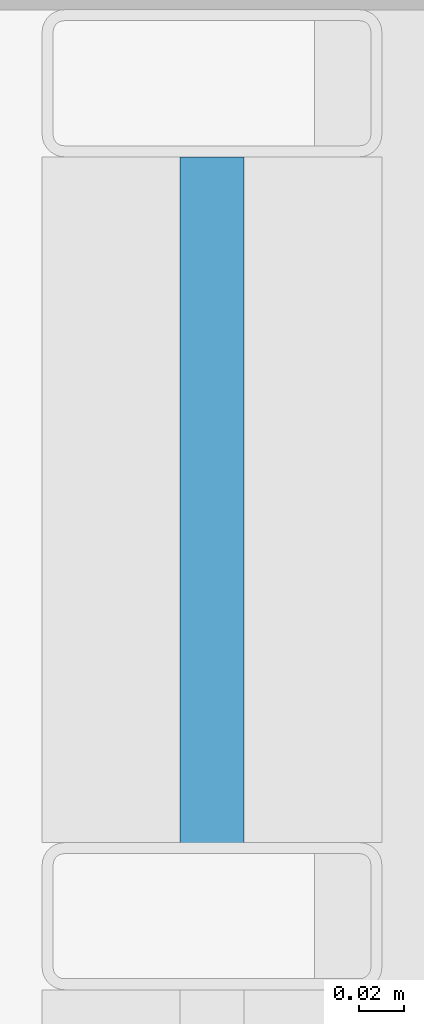
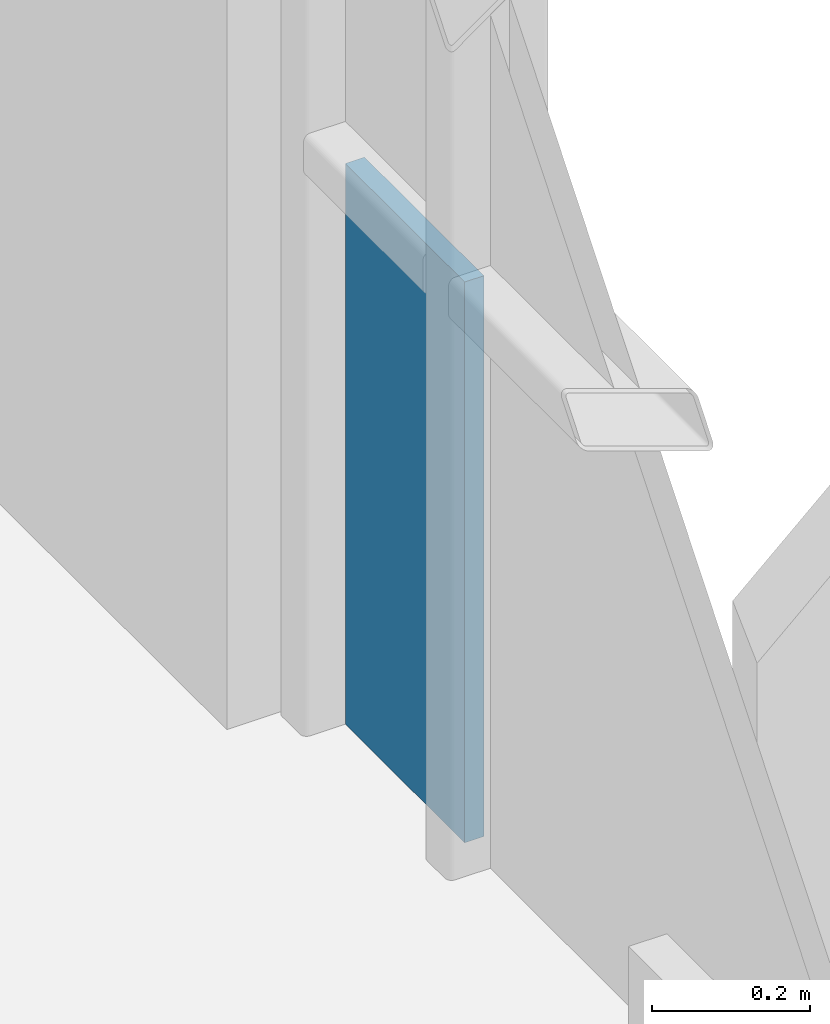
# One storey, part 26 of 39: 1 plate, 1 element without a shape of its own.
"""IFC4 building model written with IfcOpenShell, lengths in metres."""

from ifc_helpers import new_model, si_unit, direction, frame, origin, origin_2d, place, context, subcontext, project, spatial, rectangle, extrude, material, layer, layer_set, type_object, element, aggregate, save


model = new_model("IFC4")

# Units and contexts
model_context = context("Model", 3, precision=1e-05, world=origin(), true_north=direction((0.0, 1.0)))
body_context = subcontext(model_context, "Body", "Model", "MODEL_VIEW")
ifc_project = project(units=[si_unit("LENGTHUNIT", "METRE"), si_unit("AREAUNIT", "SQUARE_METRE"), si_unit("VOLUMEUNIT", "CUBIC_METRE"), si_unit("PLANEANGLEUNIT", "RADIAN"), si_unit("MASSUNIT", "GRAM", prefix="KILO")], contexts=[model_context])

# Site, building, storey
site_placement = place(None, origin())
site = spatial("IfcSite", under=ifc_project, at=site_placement, CompositionType="ELEMENT")
building_placement = place(site_placement, origin())
building = spatial("IfcBuilding", under=site, at=building_placement, Name="Brevholm Reach", CompositionType="ELEMENT")
storey_placement = place(building_placement, frame((0.0, 0.0, 115.89990234375)))
storey = spatial("IfcBuildingStorey", under=building, at=storey_placement, Name="L34", CompositionType="ELEMENT", Elevation=115.89990234375)

# Curtain wall, plate
ifc_material_1 = material(Name="Dark Anodised Aluminium 6063-T6 and Solar-Control Glass", Category="aluminium")
ifc_layer_1 = layer(ifc_material_1, 0.14990234375)
ifc_layer_set_1 = layer_set([ifc_layer_1], Name="Dark Anodised Aluminium 6063-T6 and Solar-Control Glass")
curtain_wall_type = type_object("IfcCurtainWallType", Name="CW-01", PredefinedType="NOTDEFINED", material=ifc_layer_set_1)
curtain_wall_placement = place(storey_placement, origin())
curtain_wall = element("IfcCurtainWall", 1, at=curtain_wall_placement, inside=storey, type_object=curtain_wall_type, Name="L34 Curtain Wall CW-01", PredefinedType="NOTDEFINED")
ifc_material_2 = material(Name="Dark Solar-Control Double-Glazed IGU Glass", Category="glass")
ifc_layer_2 = layer(ifc_material_2, 0.028076171875)
ifc_layer_set_2 = layer_set([ifc_layer_2], Name="Dark Solar-Control Double-Glazed IGU Glass")
plate_type = type_object("IfcPlateType", Name="CWP-GLZ-28", PredefinedType="CURTAIN_PANEL", material=ifc_layer_set_2)
plate_placement = place(storey_placement, frame((59.85009765625, 22.733642578125, 0.0), z_axis=(0.0, 0.0, 1.0), x_axis=(0.0, 1.0, 0.0)))
plate = element("IfcPlate", 2, at=plate_placement, type_object=plate_type, Name="CP-01 Glazing Panel 5.1", PredefinedType="CURTAIN_PANEL", context=body_context, shape_type="SweptSolid", body=[
    extrude(rectangle(XDim=0.302490234375, YDim=0.028076171875, at=origin_2d()), origin(), (0.0, 0.0, 1.0), 0.867431640625),
])
aggregate(curtain_wall, [plate])

save(model, "model.ifc")
